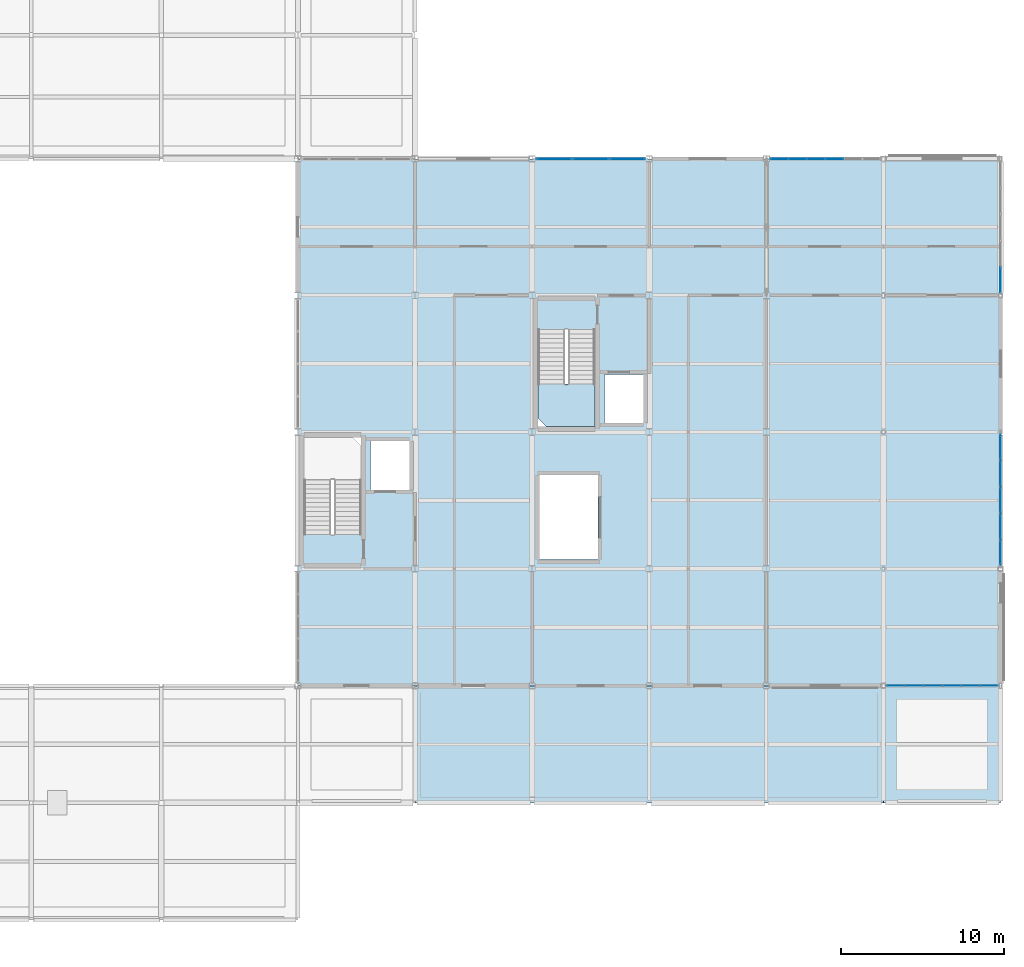
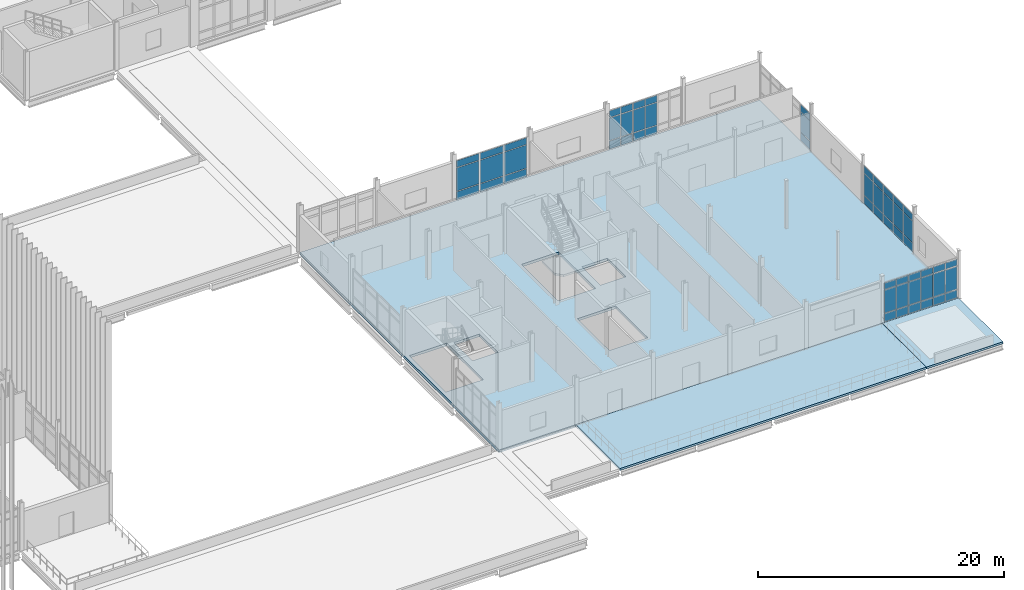
# One storey, part 105 of 153: 57 plates, 4 slabs, 6 elements without a shape of their own.
"""IFC4 building model written with IfcOpenShell, lengths in metres."""

from ifc_helpers import new_model, si_unit, direction, frame, origin, origin_2d, place, context, subcontext, project, spatial, polyline, rectangle, outline, extrude, material, layer, layer_set, type_object, element, aggregate, save


model = new_model("IFC4")

# Units and contexts
model_context = context("Model", 3, precision=1e-05, world=origin(), true_north=direction((0.0, 1.0)))
body_context = subcontext(model_context, "Body", "Model", "MODEL_VIEW")
ifc_project = project(units=[si_unit("LENGTHUNIT", "METRE"), si_unit("AREAUNIT", "SQUARE_METRE"), si_unit("VOLUMEUNIT", "CUBIC_METRE"), si_unit("PLANEANGLEUNIT", "RADIAN"), si_unit("MASSUNIT", "GRAM", prefix="KILO")], contexts=[model_context])

# Site, building, storey
site_placement = place(None, origin())
site = spatial("IfcSite", under=ifc_project, at=site_placement, CompositionType="ELEMENT")
building_placement = place(site_placement, origin())
building = spatial("IfcBuilding", under=site, at=building_placement, Name="Calvrana Isthmian Art Gallery", CompositionType="ELEMENT")
storey_placement = place(building_placement, frame((0.0, 0.0, 10.199951171875)))
storey = spatial("IfcBuildingStorey", under=building, at=storey_placement, Name="L02", CompositionType="ELEMENT", Elevation=10.199951171875)

# Curtain wall, plates
ifc_material_1 = material(Name="Anodized bronze aluminium 6063-T6", Category="aluminium")
ifc_layer_1 = layer(ifc_material_1, 0.179931640625, Name="Anodized bronze aluminium 6063-T6")
ifc_layer_set_1 = layer_set([ifc_layer_1], Name="Anodized bronze aluminium 6063-T6")
curtain_wall_type_1 = type_object("IfcCurtainWallType", Name="CW-UNIT-068X40", PredefinedType="USERDEFINED", material=ifc_layer_set_1)
curtain_wall_1_placement = place(storey_placement, origin())
curtain_wall_1 = element("IfcCurtainWall", 1, at=curtain_wall_1_placement, inside=storey, type_object=curtain_wall_type_1, Name="Curtain wall CW-155", ObjectType="UNITISED CURTAIN WALL", PredefinedType="USERDEFINED")
ifc_material_2 = material(Name="Polychrome glazed terracotta", Category="masonry")
ifc_layer_2 = layer(ifc_material_2, 0.033935546875, Name="Polychrome glazed terracotta")
ifc_layer_set_2 = layer_set([ifc_layer_2], Name="Polychrome glazed terracotta")
plate_type_1 = type_object("IfcPlateType", Name="CWP-SPANDREL-34", PredefinedType="CURTAIN_PANEL", material=ifc_layer_set_2)
plate_1_placement = place(storey_placement, frame((128.552978515625, 46.800048828125, 0.06005859375), z_axis=(0.0, 0.0, 1.0), x_axis=(1.0, 0.0, 0.0)))
plate_1 = element("IfcPlate", 2, at=plate_1_placement, type_object=plate_type_1, Name="CW-155 panel 1.1", PredefinedType="CURTAIN_PANEL", context=body_context, shape_type="SweptSolid", body=[
    extrude(rectangle(XDim=2.152099609375, YDim=0.033935546875, at=origin_2d()), origin(), (0.0, 0.0, 1.0), 0.81005859375),
])
plate_2_placement = place(storey_placement, frame((128.552978515625, 46.800048828125, 0.93017578125), z_axis=(0.0, 0.0, 1.0), x_axis=(1.0, 0.0, 0.0)))
plate_2 = element("IfcPlate", 3, at=plate_2_placement, type_object=plate_type_1, Name="CW-155 panel 1.2", PredefinedType="CURTAIN_PANEL", context=body_context, shape_type="SweptSolid", body=[
    extrude(rectangle(XDim=2.152099609375, YDim=0.033935546875, at=origin_2d()), origin(), (0.0, 0.0, 1.0), 2.297119140625),
])
plate_3_placement = place(storey_placement, frame((128.552978515625, 46.800048828125, 3.287109375), z_axis=(0.0, 0.0, 1.0), x_axis=(1.0, 0.0, 0.0)))
plate_3 = element("IfcPlate", 4, at=plate_3_placement, type_object=plate_type_1, Name="CW-155 panel 1.3", PredefinedType="CURTAIN_PANEL", context=body_context, shape_type="SweptSolid", body=[
    extrude(rectangle(XDim=2.152099609375, YDim=0.033935546875, at=origin_2d()), origin(), (0.0, 0.0, 1.0), 0.659912109375),
])
plate_4_placement = place(storey_placement, frame((130.80517578125, 46.800048828125, 0.06005859375), z_axis=(0.0, 0.0, 1.0), x_axis=(1.0, 0.0, 0.0)))
plate_4 = element("IfcPlate", 5, at=plate_4_placement, type_object=plate_type_1, Name="CW-155 panel 2.1", PredefinedType="CURTAIN_PANEL", context=body_context, shape_type="SweptSolid", body=[
    extrude(rectangle(XDim=2.192138671875, YDim=0.033935546875, at=origin_2d()), origin(), (0.0, 0.0, 1.0), 0.81005859375),
])
plate_5_placement = place(storey_placement, frame((130.80517578125, 46.800048828125, 0.93017578125), z_axis=(0.0, 0.0, 1.0), x_axis=(1.0, 0.0, 0.0)))
plate_5 = element("IfcPlate", 6, at=plate_5_placement, type_object=plate_type_1, Name="CW-155 panel 2.2", PredefinedType="CURTAIN_PANEL", context=body_context, shape_type="SweptSolid", body=[
    extrude(rectangle(XDim=2.192138671875, YDim=0.033935546875, at=origin_2d()), origin(), (0.0, 0.0, 1.0), 2.297119140625),
])
plate_6_placement = place(storey_placement, frame((130.80517578125, 46.800048828125, 3.287109375), z_axis=(0.0, 0.0, 1.0), x_axis=(1.0, 0.0, 0.0)))
plate_6 = element("IfcPlate", 7, at=plate_6_placement, type_object=plate_type_1, Name="CW-155 panel 2.3", PredefinedType="CURTAIN_PANEL", context=body_context, shape_type="SweptSolid", body=[
    extrude(rectangle(XDim=2.192138671875, YDim=0.033935546875, at=origin_2d()), origin(), (0.0, 0.0, 1.0), 0.659912109375),
])
plate_7_placement = place(storey_placement, frame((133.057373046875, 46.800048828125, 0.06005859375), z_axis=(0.0, 0.0, 1.0), x_axis=(1.0, 0.0, 0.0)))
plate_7 = element("IfcPlate", 8, at=plate_7_placement, type_object=plate_type_1, Name="CW-155 panel 3.1", PredefinedType="CURTAIN_PANEL", context=body_context, shape_type="SweptSolid", body=[
    extrude(rectangle(XDim=2.152099609375, YDim=0.033935546875, at=origin_2d()), origin(), (0.0, 0.0, 1.0), 0.81005859375),
])
plate_8_placement = place(storey_placement, frame((133.057373046875, 46.800048828125, 0.93017578125), z_axis=(0.0, 0.0, 1.0), x_axis=(1.0, 0.0, 0.0)))
plate_8 = element("IfcPlate", 9, at=plate_8_placement, type_object=plate_type_1, Name="CW-155 panel 3.2", PredefinedType="CURTAIN_PANEL", context=body_context, shape_type="SweptSolid", body=[
    extrude(rectangle(XDim=2.152099609375, YDim=0.033935546875, at=origin_2d()), origin(), (0.0, 0.0, 1.0), 2.297119140625),
])
plate_9_placement = place(storey_placement, frame((133.057373046875, 46.800048828125, 3.287109375), z_axis=(0.0, 0.0, 1.0), x_axis=(1.0, 0.0, 0.0)))
plate_9 = element("IfcPlate", 10, at=plate_9_placement, type_object=plate_type_1, Name="CW-155 panel 3.3", PredefinedType="CURTAIN_PANEL", context=body_context, shape_type="SweptSolid", body=[
    extrude(rectangle(XDim=2.152099609375, YDim=0.033935546875, at=origin_2d()), origin(), (0.0, 0.0, 1.0), 0.659912109375),
])
aggregate(curtain_wall_1, [plate_1, plate_2, plate_3, plate_4, plate_5, plate_6, plate_7, plate_8, plate_9])

ifc_layer_3 = layer(ifc_material_1, 0.179931640625, Name="Anodized bronze aluminium 6063-T6")
ifc_layer_set_3 = layer_set([ifc_layer_3], Name="Anodized bronze aluminium 6063-T6")
curtain_wall_type_2 = type_object("IfcCurtainWallType", Name="CW-STICK-081X38", PredefinedType="NOTDEFINED", material=ifc_layer_set_3)
curtain_wall_2_placement = place(storey_placement, origin())
curtain_wall_2 = element("IfcCurtainWall", 11, at=curtain_wall_2_placement, inside=storey, type_object=curtain_wall_type_2, Name="Curtain wall CW-185", PredefinedType="NOTDEFINED")
plate_10_placement = place(storey_placement, frame((156.0, 29.063720703125, 0.06005859375), z_axis=(0.0, 0.0, 1.0), x_axis=(0.0, -1.0, 0.0)))
plate_10 = element("IfcPlate", 12, at=plate_10_placement, type_object=plate_type_1, Name="CW-185 panel 1.1", PredefinedType="CURTAIN_PANEL", context=body_context, shape_type="SweptSolid", body=[
    extrude(rectangle(XDim=1.50927734375, YDim=0.033935546875, at=origin_2d()), origin(), (0.0, 0.0, 1.0), 0.81005859375),
])
plate_11_placement = place(storey_placement, frame((156.0, 29.063720703125, 0.93017578125), z_axis=(0.0, 0.0, 1.0), x_axis=(0.0, -1.0, 0.0)))
plate_11 = element("IfcPlate", 13, at=plate_11_placement, type_object=plate_type_1, Name="CW-185 panel 1.2", PredefinedType="CURTAIN_PANEL", context=body_context, shape_type="SweptSolid", body=[
    extrude(rectangle(XDim=1.50927734375, YDim=0.033935546875, at=origin_2d()), origin(), (0.0, 0.0, 1.0), 2.136962890625),
])
plate_12_placement = place(storey_placement, frame((156.0, 29.063720703125, 3.126953125), z_axis=(0.0, 0.0, 1.0), x_axis=(0.0, -1.0, 0.0)))
plate_12 = element("IfcPlate", 14, at=plate_12_placement, type_object=plate_type_1, Name="CW-185 panel 1.3", PredefinedType="CURTAIN_PANEL", context=body_context, shape_type="SweptSolid", body=[
    extrude(rectangle(XDim=1.50927734375, YDim=0.033935546875, at=origin_2d()), origin(), (0.0, 0.0, 1.0), 0.659912109375),
])
plate_13_placement = place(storey_placement, frame((156.0, 27.45458984375, 0.06005859375), z_axis=(0.0, 0.0, 1.0), x_axis=(0.0, -1.0, 0.0)))
plate_13 = element("IfcPlate", 15, at=plate_13_placement, type_object=plate_type_1, Name="CW-185 panel 2.1", PredefinedType="CURTAIN_PANEL", context=body_context, shape_type="SweptSolid", body=[
    extrude(rectangle(XDim=1.54931640625, YDim=0.033935546875, at=origin_2d()), origin(), (0.0, 0.0, 1.0), 0.81005859375),
])
plate_14_placement = place(storey_placement, frame((156.0, 27.45458984375, 0.93017578125), z_axis=(0.0, 0.0, 1.0), x_axis=(0.0, -1.0, 0.0)))
plate_14 = element("IfcPlate", 16, at=plate_14_placement, type_object=plate_type_1, Name="CW-185 panel 2.2", PredefinedType="CURTAIN_PANEL", context=body_context, shape_type="SweptSolid", body=[
    extrude(rectangle(XDim=1.54931640625, YDim=0.033935546875, at=origin_2d()), origin(), (0.0, 0.0, 1.0), 2.136962890625),
])
plate_15_placement = place(storey_placement, frame((156.0, 27.45458984375, 3.126953125), z_axis=(0.0, 0.0, 1.0), x_axis=(0.0, -1.0, 0.0)))
plate_15 = element("IfcPlate", 17, at=plate_15_placement, type_object=plate_type_1, Name="CW-185 panel 2.3", PredefinedType="CURTAIN_PANEL", context=body_context, shape_type="SweptSolid", body=[
    extrude(rectangle(XDim=1.54931640625, YDim=0.033935546875, at=origin_2d()), origin(), (0.0, 0.0, 1.0), 0.659912109375),
])
plate_16_placement = place(storey_placement, frame((156.0, 25.825439453125, 0.06005859375), z_axis=(0.0, 0.0, 1.0), x_axis=(0.0, -1.0, 0.0)))
plate_16 = element("IfcPlate", 18, at=plate_16_placement, type_object=plate_type_1, Name="CW-185 panel 3.1", PredefinedType="CURTAIN_PANEL", context=body_context, shape_type="SweptSolid", body=[
    extrude(rectangle(XDim=1.54931640625, YDim=0.033935546875, at=origin_2d()), origin(), (0.0, 0.0, 1.0), 0.81005859375),
])
plate_17_placement = place(storey_placement, frame((156.0, 25.825439453125, 0.93017578125), z_axis=(0.0, 0.0, 1.0), x_axis=(0.0, -1.0, 0.0)))
plate_17 = element("IfcPlate", 19, at=plate_17_placement, type_object=plate_type_1, Name="CW-185 panel 3.2", PredefinedType="CURTAIN_PANEL", context=body_context, shape_type="SweptSolid", body=[
    extrude(rectangle(XDim=1.54931640625, YDim=0.033935546875, at=origin_2d()), origin(), (0.0, 0.0, 1.0), 2.136962890625),
])
plate_18_placement = place(storey_placement, frame((156.0, 25.825439453125, 3.126953125), z_axis=(0.0, 0.0, 1.0), x_axis=(0.0, -1.0, 0.0)))
plate_18 = element("IfcPlate", 20, at=plate_18_placement, type_object=plate_type_1, Name="CW-185 panel 3.3", PredefinedType="CURTAIN_PANEL", context=body_context, shape_type="SweptSolid", body=[
    extrude(rectangle(XDim=1.54931640625, YDim=0.033935546875, at=origin_2d()), origin(), (0.0, 0.0, 1.0), 0.659912109375),
])
plate_19_placement = place(storey_placement, frame((156.0, 24.1962890625, 0.06005859375), z_axis=(0.0, 0.0, 1.0), x_axis=(0.0, -1.0, 0.0)))
plate_19 = element("IfcPlate", 21, at=plate_19_placement, type_object=plate_type_1, Name="CW-185 panel 4.1", PredefinedType="CURTAIN_PANEL", context=body_context, shape_type="SweptSolid", body=[
    extrude(rectangle(XDim=1.54931640625, YDim=0.033935546875, at=origin_2d()), origin(), (0.0, 0.0, 1.0), 0.81005859375),
])
plate_20_placement = place(storey_placement, frame((156.0, 24.1962890625, 0.93017578125), z_axis=(0.0, 0.0, 1.0), x_axis=(0.0, -1.0, 0.0)))
plate_20 = element("IfcPlate", 22, at=plate_20_placement, type_object=plate_type_1, Name="CW-185 panel 4.2", PredefinedType="CURTAIN_PANEL", context=body_context, shape_type="SweptSolid", body=[
    extrude(rectangle(XDim=1.54931640625, YDim=0.033935546875, at=origin_2d()), origin(), (0.0, 0.0, 1.0), 2.136962890625),
])
plate_21_placement = place(storey_placement, frame((156.0, 24.1962890625, 3.126953125), z_axis=(0.0, 0.0, 1.0), x_axis=(0.0, -1.0, 0.0)))
plate_21 = element("IfcPlate", 23, at=plate_21_placement, type_object=plate_type_1, Name="CW-185 panel 4.3", PredefinedType="CURTAIN_PANEL", context=body_context, shape_type="SweptSolid", body=[
    extrude(rectangle(XDim=1.54931640625, YDim=0.033935546875, at=origin_2d()), origin(), (0.0, 0.0, 1.0), 0.659912109375),
])
plate_22_placement = place(storey_placement, frame((156.0, 22.5869140625, 0.06005859375), z_axis=(0.0, 0.0, 1.0), x_axis=(0.0, -1.0, 0.0)))
plate_22 = element("IfcPlate", 24, at=plate_22_placement, type_object=plate_type_1, Name="CW-185 panel 5.1", PredefinedType="CURTAIN_PANEL", context=body_context, shape_type="SweptSolid", body=[
    extrude(rectangle(XDim=1.50927734375, YDim=0.033935546875, at=origin_2d()), origin(), (0.0, 0.0, 1.0), 0.81005859375),
])
plate_23_placement = place(storey_placement, frame((156.0, 22.5869140625, 0.93017578125), z_axis=(0.0, 0.0, 1.0), x_axis=(0.0, -1.0, 0.0)))
plate_23 = element("IfcPlate", 25, at=plate_23_placement, type_object=plate_type_1, Name="CW-185 panel 5.2", PredefinedType="CURTAIN_PANEL", context=body_context, shape_type="SweptSolid", body=[
    extrude(rectangle(XDim=1.50927734375, YDim=0.033935546875, at=origin_2d()), origin(), (0.0, 0.0, 1.0), 2.136962890625),
])
plate_24_placement = place(storey_placement, frame((156.0, 22.5869140625, 3.126953125), z_axis=(0.0, 0.0, 1.0), x_axis=(0.0, -1.0, 0.0)))
plate_24 = element("IfcPlate", 26, at=plate_24_placement, type_object=plate_type_1, Name="CW-185 panel 5.3", PredefinedType="CURTAIN_PANEL", context=body_context, shape_type="SweptSolid", body=[
    extrude(rectangle(XDim=1.50927734375, YDim=0.033935546875, at=origin_2d()), origin(), (0.0, 0.0, 1.0), 0.659912109375),
])
aggregate(curtain_wall_2, [plate_10, plate_11, plate_12, plate_13, plate_14, plate_15, plate_16, plate_17, plate_18, plate_19, plate_20, plate_21, plate_22, plate_23, plate_24])

ifc_layer_4 = layer(ifc_material_1, 0.179931640625, Name="Anodized bronze aluminium 6063-T6")
ifc_layer_set_4 = layer_set([ifc_layer_4], Name="Anodized bronze aluminium 6063-T6")
curtain_wall_type_3 = type_object("IfcCurtainWallType", Name="CW-STICK-069X40", PredefinedType="NOTDEFINED", material=ifc_layer_set_4)
curtain_wall_3_placement = place(storey_placement, origin())
curtain_wall_3 = element("IfcCurtainWall", 27, at=curtain_wall_3_placement, inside=storey, type_object=curtain_wall_type_3, Name="Curtain wall CW-144", PredefinedType="NOTDEFINED")
ifc_material_3 = material(Name="Low-E laminated solar glass", Category="glass")
ifc_layer_5 = layer(ifc_material_3, 0.028076171875, Name="Low-E laminated solar glass")
ifc_layer_set_5 = layer_set([ifc_layer_5], Name="Low-E laminated solar glass")
plate_type_2 = type_object("IfcPlateType", Name="CWP-VISION-28", PredefinedType="CURTAIN_PANEL", material=ifc_layer_set_5)
plate_25_placement = place(storey_placement, frame((155.3046875, 14.39990234375, 0.074951171875), z_axis=(0.0, 0.0, 1.0), x_axis=(-1.0, 0.0, 0.0)))
plate_25 = element("IfcPlate", 28, at=plate_25_placement, type_object=plate_type_2, Name="CW-144 panel 1.1", PredefinedType="CURTAIN_PANEL", context=body_context, shape_type="SweptSolid", body=[
    extrude(rectangle(XDim=1.067626953125, YDim=0.028076171875, at=origin_2d()), origin(), (0.0, 0.0, 1.0), 0.78759765625),
])
plate_26_placement = place(storey_placement, frame((155.3046875, 14.39990234375, 0.9375), z_axis=(0.0, 0.0, 1.0), x_axis=(-1.0, 0.0, 0.0)))
plate_26 = element("IfcPlate", 29, at=plate_26_placement, type_object=plate_type_2, Name="CW-144 panel 1.2", PredefinedType="CURTAIN_PANEL", context=body_context, shape_type="SweptSolid", body=[
    extrude(rectangle(XDim=1.067626953125, YDim=0.028076171875, at=origin_2d()), origin(), (0.0, 0.0, 1.0), 2.26611328125),
])
plate_27_placement = place(storey_placement, frame((155.3046875, 14.39990234375, 3.27880859375), z_axis=(0.0, 0.0, 1.0), x_axis=(-1.0, 0.0, 0.0)))
plate_27 = element("IfcPlate", 30, at=plate_27_placement, type_object=plate_type_2, Name="CW-144 panel 1.3", PredefinedType="CURTAIN_PANEL", context=body_context, shape_type="SweptSolid", body=[
    extrude(rectangle(XDim=1.067626953125, YDim=0.028076171875, at=origin_2d()), origin(), (0.0, 0.0, 1.0), 0.637451171875),
])
plate_28_placement = place(storey_placement, frame((154.161865234375, 14.39990234375, 0.074951171875), z_axis=(0.0, 0.0, 1.0), x_axis=(-1.0, 0.0, 0.0)))
plate_28 = element("IfcPlate", 31, at=plate_28_placement, type_object=plate_type_2, Name="CW-144 panel 2.1", PredefinedType="CURTAIN_PANEL", context=body_context, shape_type="SweptSolid", body=[
    extrude(rectangle(XDim=1.09765625, YDim=0.028076171875, at=origin_2d()), origin(), (0.0, 0.0, 1.0), 0.78759765625),
])
plate_29_placement = place(storey_placement, frame((154.161865234375, 14.39990234375, 0.9375), z_axis=(0.0, 0.0, 1.0), x_axis=(-1.0, 0.0, 0.0)))
plate_29 = element("IfcPlate", 32, at=plate_29_placement, type_object=plate_type_2, Name="CW-144 panel 2.2", PredefinedType="CURTAIN_PANEL", context=body_context, shape_type="SweptSolid", body=[
    extrude(rectangle(XDim=1.09765625, YDim=0.028076171875, at=origin_2d()), origin(), (0.0, 0.0, 1.0), 2.26611328125),
])
plate_30_placement = place(storey_placement, frame((154.161865234375, 14.39990234375, 3.27880859375), z_axis=(0.0, 0.0, 1.0), x_axis=(-1.0, 0.0, 0.0)))
plate_30 = element("IfcPlate", 33, at=plate_30_placement, type_object=plate_type_2, Name="CW-144 panel 2.3", PredefinedType="CURTAIN_PANEL", context=body_context, shape_type="SweptSolid", body=[
    extrude(rectangle(XDim=1.09765625, YDim=0.028076171875, at=origin_2d()), origin(), (0.0, 0.0, 1.0), 0.637451171875),
])
plate_31_placement = place(storey_placement, frame((153.004150390625, 14.39990234375, 0.074951171875), z_axis=(0.0, 0.0, 1.0), x_axis=(-1.0, 0.0, 0.0)))
plate_31 = element("IfcPlate", 34, at=plate_31_placement, type_object=plate_type_2, Name="CW-144 panel 3.1", PredefinedType="CURTAIN_PANEL", context=body_context, shape_type="SweptSolid", body=[
    extrude(rectangle(XDim=1.09765625, YDim=0.028076171875, at=origin_2d()), origin(), (0.0, 0.0, 1.0), 0.78759765625),
])
plate_32_placement = place(storey_placement, frame((153.004150390625, 14.39990234375, 0.9375), z_axis=(0.0, 0.0, 1.0), x_axis=(-1.0, 0.0, 0.0)))
plate_32 = element("IfcPlate", 35, at=plate_32_placement, type_object=plate_type_2, Name="CW-144 panel 3.2", PredefinedType="CURTAIN_PANEL", context=body_context, shape_type="SweptSolid", body=[
    extrude(rectangle(XDim=1.09765625, YDim=0.028076171875, at=origin_2d()), origin(), (0.0, 0.0, 1.0), 2.26611328125),
])
plate_33_placement = place(storey_placement, frame((153.004150390625, 14.39990234375, 3.27880859375), z_axis=(0.0, 0.0, 1.0), x_axis=(-1.0, 0.0, 0.0)))
plate_33 = element("IfcPlate", 36, at=plate_33_placement, type_object=plate_type_2, Name="CW-144 panel 3.3", PredefinedType="CURTAIN_PANEL", context=body_context, shape_type="SweptSolid", body=[
    extrude(rectangle(XDim=1.09765625, YDim=0.028076171875, at=origin_2d()), origin(), (0.0, 0.0, 1.0), 0.637451171875),
])
plate_34_placement = place(storey_placement, frame((151.8466796875, 14.39990234375, 0.074951171875), z_axis=(0.0, 0.0, 1.0), x_axis=(-1.0, 0.0, 0.0)))
plate_34 = element("IfcPlate", 37, at=plate_34_placement, type_object=plate_type_2, Name="CW-144 panel 4.1", PredefinedType="CURTAIN_PANEL", context=body_context, shape_type="SweptSolid", body=[
    extrude(rectangle(XDim=1.09765625, YDim=0.028076171875, at=origin_2d()), origin(), (0.0, 0.0, 1.0), 0.78759765625),
])
plate_35_placement = place(storey_placement, frame((151.8466796875, 14.39990234375, 0.9375), z_axis=(0.0, 0.0, 1.0), x_axis=(-1.0, 0.0, 0.0)))
plate_35 = element("IfcPlate", 38, at=plate_35_placement, type_object=plate_type_2, Name="CW-144 panel 4.2", PredefinedType="CURTAIN_PANEL", context=body_context, shape_type="SweptSolid", body=[
    extrude(rectangle(XDim=1.09765625, YDim=0.028076171875, at=origin_2d()), origin(), (0.0, 0.0, 1.0), 2.26611328125),
])
plate_36_placement = place(storey_placement, frame((151.8466796875, 14.39990234375, 3.27880859375), z_axis=(0.0, 0.0, 1.0), x_axis=(-1.0, 0.0, 0.0)))
plate_36 = element("IfcPlate", 39, at=plate_36_placement, type_object=plate_type_2, Name="CW-144 panel 4.3", PredefinedType="CURTAIN_PANEL", context=body_context, shape_type="SweptSolid", body=[
    extrude(rectangle(XDim=1.09765625, YDim=0.028076171875, at=origin_2d()), origin(), (0.0, 0.0, 1.0), 0.637451171875),
])
plate_37_placement = place(storey_placement, frame((150.68896484375, 14.39990234375, 0.074951171875), z_axis=(0.0, 0.0, 1.0), x_axis=(-1.0, 0.0, 0.0)))
plate_37 = element("IfcPlate", 40, at=plate_37_placement, type_object=plate_type_2, Name="CW-144 panel 5.1", PredefinedType="CURTAIN_PANEL", context=body_context, shape_type="SweptSolid", body=[
    extrude(rectangle(XDim=1.09765625, YDim=0.028076171875, at=origin_2d()), origin(), (0.0, 0.0, 1.0), 0.78759765625),
])
plate_38_placement = place(storey_placement, frame((150.68896484375, 14.39990234375, 0.9375), z_axis=(0.0, 0.0, 1.0), x_axis=(-1.0, 0.0, 0.0)))
plate_38 = element("IfcPlate", 41, at=plate_38_placement, type_object=plate_type_2, Name="CW-144 panel 5.2", PredefinedType="CURTAIN_PANEL", context=body_context, shape_type="SweptSolid", body=[
    extrude(rectangle(XDim=1.09765625, YDim=0.028076171875, at=origin_2d()), origin(), (0.0, 0.0, 1.0), 2.26611328125),
])
plate_39_placement = place(storey_placement, frame((150.68896484375, 14.39990234375, 3.27880859375), z_axis=(0.0, 0.0, 1.0), x_axis=(-1.0, 0.0, 0.0)))
plate_39 = element("IfcPlate", 42, at=plate_39_placement, type_object=plate_type_2, Name="CW-144 panel 5.3", PredefinedType="CURTAIN_PANEL", context=body_context, shape_type="SweptSolid", body=[
    extrude(rectangle(XDim=1.09765625, YDim=0.028076171875, at=origin_2d()), origin(), (0.0, 0.0, 1.0), 0.637451171875),
])
plate_40_placement = place(storey_placement, frame((149.546142578125, 14.39990234375, 0.074951171875), z_axis=(0.0, 0.0, 1.0), x_axis=(-1.0, 0.0, 0.0)))
plate_40 = element("IfcPlate", 43, at=plate_40_placement, type_object=plate_type_2, Name="CW-144 panel 6.1", PredefinedType="CURTAIN_PANEL", context=body_context, shape_type="SweptSolid", body=[
    extrude(rectangle(XDim=1.067626953125, YDim=0.028076171875, at=origin_2d()), origin(), (0.0, 0.0, 1.0), 0.78759765625),
])
plate_41_placement = place(storey_placement, frame((149.546142578125, 14.39990234375, 0.9375), z_axis=(0.0, 0.0, 1.0), x_axis=(-1.0, 0.0, 0.0)))
plate_41 = element("IfcPlate", 44, at=plate_41_placement, type_object=plate_type_2, Name="CW-144 panel 6.2", PredefinedType="CURTAIN_PANEL", context=body_context, shape_type="SweptSolid", body=[
    extrude(rectangle(XDim=1.067626953125, YDim=0.028076171875, at=origin_2d()), origin(), (0.0, 0.0, 1.0), 2.26611328125),
])
plate_42_placement = place(storey_placement, frame((149.546142578125, 14.39990234375, 3.27880859375), z_axis=(0.0, 0.0, 1.0), x_axis=(-1.0, 0.0, 0.0)))
plate_42 = element("IfcPlate", 45, at=plate_42_placement, type_object=plate_type_2, Name="CW-144 panel 6.3", PredefinedType="CURTAIN_PANEL", context=body_context, shape_type="SweptSolid", body=[
    extrude(rectangle(XDim=1.067626953125, YDim=0.028076171875, at=origin_2d()), origin(), (0.0, 0.0, 1.0), 0.637451171875),
])
aggregate(curtain_wall_3, [plate_25, plate_26, plate_27, plate_28, plate_29, plate_30, plate_31, plate_32, plate_33, plate_34, plate_35, plate_36, plate_37, plate_38, plate_39, plate_40, plate_41, plate_42])

ifc_layer_6 = layer(ifc_material_1, 0.179931640625, Name="Anodized bronze aluminium 6063-T6")
ifc_layer_set_6 = layer_set([ifc_layer_6], Name="Anodized bronze aluminium 6063-T6")
curtain_wall_type_4 = type_object("IfcCurtainWallType", Name="CW-STICK-068X39", PredefinedType="NOTDEFINED", material=ifc_layer_set_6)
curtain_wall_4_placement = place(storey_placement, origin())
curtain_wall_4 = element("IfcCurtainWall", 46, at=curtain_wall_4_placement, inside=storey, type_object=curtain_wall_type_4, Name="Curtain wall CW-156", PredefinedType="NOTDEFINED")
plate_43_placement = place(storey_placement, frame((142.38525390625, 46.800048828125, 0.06005859375), z_axis=(0.0, 0.0, 1.0), x_axis=(1.0, 0.0, 0.0)))
plate_43 = element("IfcPlate", 47, at=plate_43_placement, type_object=plate_type_2, Name="CW-156 panel 1.1", PredefinedType="CURTAIN_PANEL", context=body_context, shape_type="SweptSolid", body=[
    extrude(rectangle(XDim=1.05126953125, YDim=0.028076171875, at=origin_2d()), origin(), (0.0, 0.0, 1.0), 0.81005859375),
])
plate_44_placement = place(storey_placement, frame((142.38525390625, 46.800048828125, 0.93017578125), z_axis=(0.0, 0.0, 1.0), x_axis=(1.0, 0.0, 0.0)))
plate_44 = element("IfcPlate", 48, at=plate_44_placement, type_object=plate_type_2, Name="CW-156 panel 1.2", PredefinedType="CURTAIN_PANEL", context=body_context, shape_type="SweptSolid", body=[
    extrude(rectangle(XDim=1.05126953125, YDim=0.028076171875, at=origin_2d()), origin(), (0.0, 0.0, 1.0), 2.222900390625),
])
plate_45_placement = place(storey_placement, frame((142.38525390625, 46.800048828125, 3.212890625), z_axis=(0.0, 0.0, 1.0), x_axis=(1.0, 0.0, 0.0)))
plate_45 = element("IfcPlate", 49, at=plate_45_placement, type_object=plate_type_2, Name="CW-156 panel 1.3", PredefinedType="CURTAIN_PANEL", context=body_context, shape_type="SweptSolid", body=[
    extrude(rectangle(XDim=1.05126953125, YDim=0.028076171875, at=origin_2d()), origin(), (0.0, 0.0, 1.0), 0.659912109375),
])
plate_46_placement = place(storey_placement, frame((143.511474609375, 46.800048828125, 0.06005859375), z_axis=(0.0, 0.0, 1.0), x_axis=(1.0, 0.0, 0.0)))
plate_46 = element("IfcPlate", 50, at=plate_46_placement, type_object=plate_type_2, Name="CW-156 panel 2.1", PredefinedType="CURTAIN_PANEL", context=body_context, shape_type="SweptSolid", body=[
    extrude(rectangle(XDim=1.081298828125, YDim=0.028076171875, at=origin_2d()), origin(), (0.0, 0.0, 1.0), 0.81005859375),
])
plate_47_placement = place(storey_placement, frame((143.511474609375, 46.800048828125, 0.93017578125), z_axis=(0.0, 0.0, 1.0), x_axis=(1.0, 0.0, 0.0)))
plate_47 = element("IfcPlate", 51, at=plate_47_placement, type_object=plate_type_2, Name="CW-156 panel 2.2", PredefinedType="CURTAIN_PANEL", context=body_context, shape_type="SweptSolid", body=[
    extrude(rectangle(XDim=1.081298828125, YDim=0.028076171875, at=origin_2d()), origin(), (0.0, 0.0, 1.0), 2.222900390625),
])
plate_48_placement = place(storey_placement, frame((143.511474609375, 46.800048828125, 3.212890625), z_axis=(0.0, 0.0, 1.0), x_axis=(1.0, 0.0, 0.0)))
plate_48 = element("IfcPlate", 52, at=plate_48_placement, type_object=plate_type_2, Name="CW-156 panel 2.3", PredefinedType="CURTAIN_PANEL", context=body_context, shape_type="SweptSolid", body=[
    extrude(rectangle(XDim=1.081298828125, YDim=0.028076171875, at=origin_2d()), origin(), (0.0, 0.0, 1.0), 0.659912109375),
])
plate_49_placement = place(storey_placement, frame((144.65283203125, 46.800048828125, 0.06005859375), z_axis=(0.0, 0.0, 1.0), x_axis=(1.0, 0.0, 0.0)))
plate_49 = element("IfcPlate", 53, at=plate_49_placement, type_object=plate_type_2, Name="CW-156 panel 3.1", PredefinedType="CURTAIN_PANEL", context=body_context, shape_type="SweptSolid", body=[
    extrude(rectangle(XDim=1.081298828125, YDim=0.028076171875, at=origin_2d()), origin(), (0.0, 0.0, 1.0), 0.81005859375),
])
plate_50_placement = place(storey_placement, frame((144.65283203125, 46.800048828125, 0.93017578125), z_axis=(0.0, 0.0, 1.0), x_axis=(1.0, 0.0, 0.0)))
plate_50 = element("IfcPlate", 54, at=plate_50_placement, type_object=plate_type_2, Name="CW-156 panel 3.2", PredefinedType="CURTAIN_PANEL", context=body_context, shape_type="SweptSolid", body=[
    extrude(rectangle(XDim=1.081298828125, YDim=0.028076171875, at=origin_2d()), origin(), (0.0, 0.0, 1.0), 2.222900390625),
])
plate_51_placement = place(storey_placement, frame((144.65283203125, 46.800048828125, 3.212890625), z_axis=(0.0, 0.0, 1.0), x_axis=(1.0, 0.0, 0.0)))
plate_51 = element("IfcPlate", 55, at=plate_51_placement, type_object=plate_type_2, Name="CW-156 panel 3.3", PredefinedType="CURTAIN_PANEL", context=body_context, shape_type="SweptSolid", body=[
    extrude(rectangle(XDim=1.081298828125, YDim=0.028076171875, at=origin_2d()), origin(), (0.0, 0.0, 1.0), 0.659912109375),
])
plate_52_placement = place(storey_placement, frame((145.794189453125, 46.800048828125, 0.06005859375), z_axis=(0.0, 0.0, 1.0), x_axis=(1.0, 0.0, 0.0)))
plate_52 = element("IfcPlate", 56, at=plate_52_placement, type_object=plate_type_2, Name="CW-156 panel 4.1", PredefinedType="CURTAIN_PANEL", context=body_context, shape_type="SweptSolid", body=[
    extrude(rectangle(XDim=1.081298828125, YDim=0.028076171875, at=origin_2d()), origin(), (0.0, 0.0, 1.0), 0.81005859375),
])
plate_53_placement = place(storey_placement, frame((145.794189453125, 46.800048828125, 0.93017578125), z_axis=(0.0, 0.0, 1.0), x_axis=(1.0, 0.0, 0.0)))
plate_53 = element("IfcPlate", 57, at=plate_53_placement, type_object=plate_type_2, Name="CW-156 panel 4.2", PredefinedType="CURTAIN_PANEL", context=body_context, shape_type="SweptSolid", body=[
    extrude(rectangle(XDim=1.081298828125, YDim=0.028076171875, at=origin_2d()), origin(), (0.0, 0.0, 1.0), 2.222900390625),
])
plate_54_placement = place(storey_placement, frame((145.794189453125, 46.800048828125, 3.212890625), z_axis=(0.0, 0.0, 1.0), x_axis=(1.0, 0.0, 0.0)))
plate_54 = element("IfcPlate", 58, at=plate_54_placement, type_object=plate_type_2, Name="CW-156 panel 4.3", PredefinedType="CURTAIN_PANEL", context=body_context, shape_type="SweptSolid", body=[
    extrude(rectangle(XDim=1.081298828125, YDim=0.028076171875, at=origin_2d()), origin(), (0.0, 0.0, 1.0), 0.659912109375),
])
aggregate(curtain_wall_4, [plate_43, plate_44, plate_45, plate_46, plate_47, plate_48, plate_49, plate_50, plate_51, plate_52, plate_53, plate_54])

ifc_layer_7 = layer(ifc_material_1, 0.179931640625, Name="Anodized bronze aluminium 6063-T6")
ifc_layer_set_7 = layer_set([ifc_layer_7], Name="Anodized bronze aluminium 6063-T6")
curtain_wall_type_5 = type_object("IfcCurtainWallType", Name="CW-UNIT-081X37", PredefinedType="USERDEFINED", material=ifc_layer_set_7)
curtain_wall_5_placement = place(storey_placement, origin())
curtain_wall_5 = element("IfcCurtainWall", 59, at=curtain_wall_5_placement, inside=storey, type_object=curtain_wall_type_5, Name="Curtain wall CW-186", ObjectType="UNITISED CURTAIN WALL", PredefinedType="USERDEFINED")
plate_55_placement = place(storey_placement, frame((156.0, 39.35400390625, 0.06005859375), z_axis=(0.0, 0.0, 1.0), x_axis=(0.0, -1.0, 0.0)))
plate_55 = element("IfcPlate", 60, at=plate_55_placement, type_object=plate_type_2, Name="CW-186 panel 5.1", PredefinedType="CURTAIN_PANEL", context=body_context, shape_type="SweptSolid", body=[
    extrude(rectangle(XDim=1.5341796875, YDim=0.028076171875, at=origin_2d()), origin(), (0.0, 0.0, 1.0), 0.81005859375),
])
plate_56_placement = place(storey_placement, frame((156.0, 39.35400390625, 0.929931640625), z_axis=(0.0, 0.0, 1.0), x_axis=(0.0, -1.0, 0.0)))
plate_56 = element("IfcPlate", 61, at=plate_56_placement, type_object=plate_type_2, Name="CW-186 panel 5.2", PredefinedType="CURTAIN_PANEL", context=body_context, shape_type="SweptSolid", body=[
    extrude(rectangle(XDim=1.5341796875, YDim=0.028076171875, at=origin_2d()), origin(), (0.0, 0.0, 1.0), 1.97412109375),
])
plate_57_placement = place(storey_placement, frame((156.0, 39.35400390625, 2.9638671875), z_axis=(0.0, 0.0, 1.0), x_axis=(0.0, -1.0, 0.0)))
plate_57 = element("IfcPlate", 62, at=plate_57_placement, type_object=plate_type_2, Name="CW-186 panel 5.3", PredefinedType="CURTAIN_PANEL", context=body_context, shape_type="SweptSolid", body=[
    extrude(rectangle(XDim=1.5341796875, YDim=0.028076171875, at=origin_2d()), origin(), (0.0, 0.0, 1.0), 0.659912109375),
])
aggregate(curtain_wall_5, [plate_55, plate_56, plate_57])

# Slab
ifc_material_4 = material(Name="Concrete C40/50", Category="concrete")
ifc_layer_8 = layer(ifc_material_4, 0.260009765625, Name="Concrete C40/50")
ifc_layer_set_8 = layer_set([ifc_layer_8], Name="Concrete C40/50")
slab_type_1 = type_object("IfcSlabType", Name="SLB-GAL-260", PredefinedType="FLOOR", material=ifc_layer_set_8)
slab_1_placement = place(storey_placement, frame((0.0, 0.0, -0.260009765625)))
element("IfcSlab", 63, at=slab_1_placement, inside=storey, type_object=slab_type_1, Name="Floor slab V4_L02", PredefinedType="FLOOR", context=body_context, shape_type="SweptSolid", body=[
    extrude(outline(polyline([(112.800048828125, 14.39990234375), (156.0, 14.39990234375), (156.0, 46.800048828125), (112.800048828125, 46.800048828125), (112.800048828125, 14.39990234375)]), holes=[polyline([(116.68994140625, 23.699951171875), (116.68994140625, 29.659912109375), (113.169921875, 29.659912109375), (113.169921875, 23.699951171875), (116.68994140625, 23.699951171875)]), polyline([(117.25, 26.449951171875), (119.64990234375, 26.449951171875), (119.64990234375, 29.449951171875), (117.25, 29.449951171875), (117.25, 26.449951171875)]), polyline([(127.550048828125, 36.300048828125), (127.550048828125, 30.340087890625), (131.070068359375, 30.340087890625), (131.070068359375, 36.300048828125), (127.550048828125, 36.300048828125)]), polyline([(131.64990234375, 30.550048828125), (134.050048828125, 30.550048828125), (134.050048828125, 33.550048828125), (131.64990234375, 33.550048828125), (131.64990234375, 30.550048828125)]), polyline([(127.64990234375, 22.14990234375), (131.25, 22.14990234375), (131.25, 27.35009765625), (127.64990234375, 27.35009765625), (127.64990234375, 22.14990234375)])]), origin(), (0.0, 0.0, 1.0), 0.260009765625),
])

# Stair, slab
stair_type = type_object("IfcStairType", Name="STR-HT-480", PredefinedType="HALF_TURN_STAIR", material=ifc_material_4)
stair_placement = place(storey_placement, origin())
stair = element("IfcStair", 64, at=stair_placement, inside=storey, type_object=stair_type, Name="Protected exit stair ST-4 (L02)", PredefinedType="HALF_TURN_STAIR")
ifc_layer_9 = layer(ifc_material_4, 0.199951171875, Name="Concrete C40/50")
ifc_layer_set_9 = layer_set([ifc_layer_9], Name="Concrete C40/50")
slab_type_2 = type_object("IfcSlabType", Name="SLB-LAND-200", PredefinedType="LANDING", material=ifc_layer_set_9)
slab_2_placement = place(storey_placement, frame((0.0, 0.0, 2.199951171875)))
slab_2 = element("IfcSlab", 65, at=slab_2_placement, type_object=slab_type_2, Name="ST-4 landing 1", PredefinedType="LANDING", context=body_context, shape_type="SweptSolid", body=[
    extrude(outline(polyline([(127.550048828125, 32.93994140625), (127.550048828125, 30.860107421875), (128.070068359375, 30.340087890625), (131.070068359375, 30.340087890625), (131.070068359375, 32.93994140625), (127.550048828125, 32.93994140625)])), origin(), (0.0, 0.0, 1.0), 0.2001953125),
])
aggregate(stair, [slab_2])

# Slabs
ifc_layer_10 = layer(ifc_material_4, 0.199951171875, Name="Concrete C40/50")
ifc_layer_set_10 = layer_set([ifc_layer_10], Name="Concrete C40/50")
slab_type_3 = type_object("IfcSlabType", Name="SLB-ROOF-200", PredefinedType="ROOF", material=ifc_layer_set_10)
slab_3_placement = place(storey_placement, frame((0.0, 0.0, -0.199951171875)))
element("IfcSlab", 66, at=slab_3_placement, inside=storey, type_object=slab_type_3, Name="Flat roof slab ROOF_V4SE_L02", PredefinedType="ROOF", context=body_context, shape_type="SweptSolid", body=[
    extrude(outline(polyline([(148.800048828125, 7.199951171875), (156.0, 7.199951171875), (156.0, 14.39990234375), (148.800048828125, 14.39990234375), (148.800048828125, 7.199951171875)])), origin(), (0.0, 0.0, 1.0), 0.199951171875),
])
ifc_layer_11 = layer(ifc_material_4, 0.199951171875, Name="Concrete C40/50")
ifc_layer_set_11 = layer_set([ifc_layer_11], Name="Concrete C40/50")
slab_type_4 = type_object("IfcSlabType", Name="SLB-TER-200", PredefinedType="FLOOR", material=ifc_layer_set_11)
slab_4_placement = place(storey_placement, frame((0.0, 0.0, -0.199951171875)))
element("IfcSlab", 67, at=slab_4_placement, inside=storey, type_object=slab_type_4, Name="Outdoor sculpture terrace TER_V4S_L02", PredefinedType="FLOOR", context=body_context, shape_type="SweptSolid", body=[
    extrude(outline(polyline([(120.0, 7.199951171875), (148.800048828125, 7.199951171875), (148.800048828125, 14.39990234375), (120.0, 14.39990234375), (120.0, 7.199951171875)])), origin(), (0.0, 0.0, 1.0), 0.199951171875),
])

save(model, "model.ifc")
